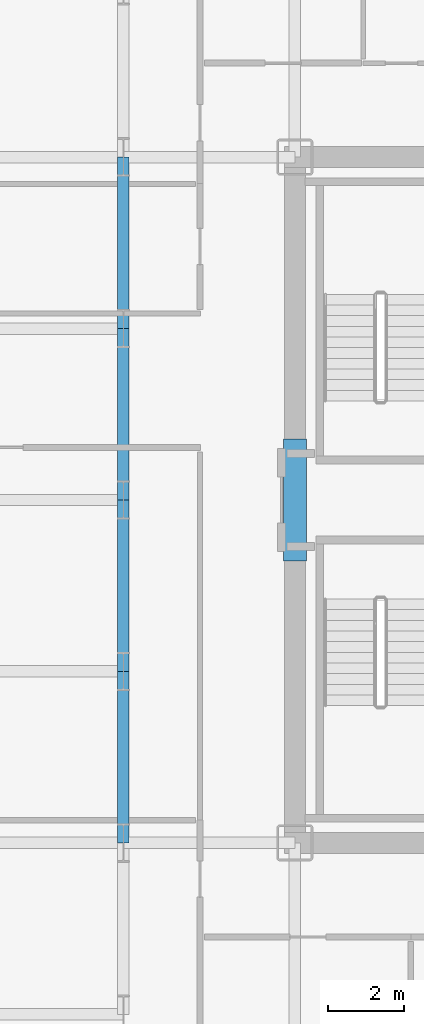
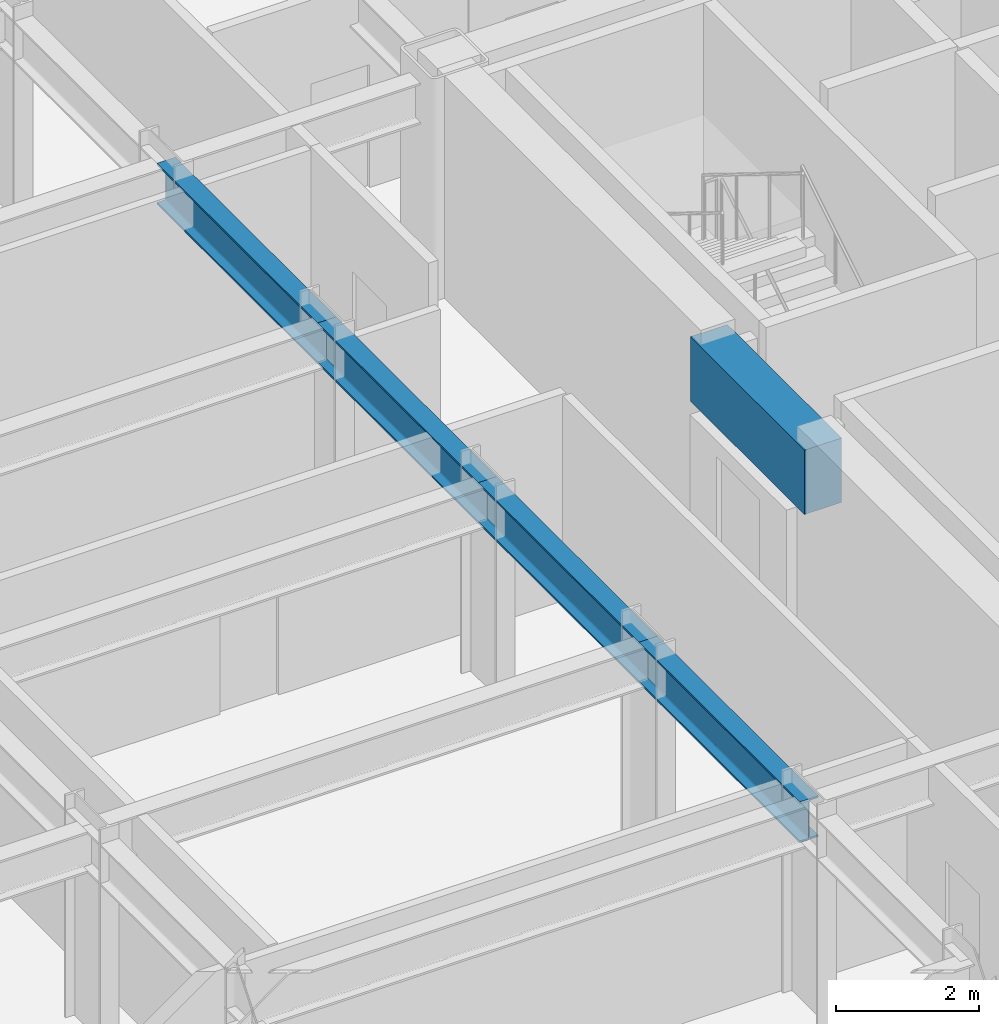
# One storey, part 7 of 29: 5 beams.
"""IFC4 building model written with IfcOpenShell, lengths in metres."""

from ifc_helpers import new_model, si_unit, direction, frame, origin, origin_2d, place, context, subcontext, project, spatial, rectangle, i_section, extrude, source, transform, mapped, material, material_profile, profile_set, type_object, element, save


model = new_model("IFC4")

# Units and contexts
model_context = context("Model", 3, precision=1e-05, world=origin(), true_north=direction((0.0, 1.0)))
body_context = subcontext(model_context, "Body", "Model", "MODEL_VIEW")
ifc_project = project(units=[si_unit("LENGTHUNIT", "METRE"), si_unit("AREAUNIT", "SQUARE_METRE"), si_unit("VOLUMEUNIT", "CUBIC_METRE"), si_unit("PLANEANGLEUNIT", "RADIAN"), si_unit("MASSUNIT", "GRAM", prefix="KILO")], contexts=[model_context])

# Site, building, storey
site_placement = place(None, origin())
site = spatial("IfcSite", under=ifc_project, at=site_placement, CompositionType="ELEMENT")
building_placement = place(site_placement, origin())
building = spatial("IfcBuilding", under=site, at=building_placement, Name="Nefas-Gora Pilgrimage Tower", CompositionType="ELEMENT")
storey_placement = place(building_placement, frame((0.0, 0.0, 90.800048828125)))
storey = spatial("IfcBuildingStorey", under=building, at=storey_placement, Name="L21", CompositionType="ELEMENT", Elevation=90.800048828125)

# Beams
ifc_material_1 = material(Name="Concrete C60/75", Category="concrete")
ifc_material_profile_1 = material_profile(ifc_material_1, rectangle(XDim=0.60009765625, YDim=1.10009765625, at=origin_2d()), Name="RC 600x1100")
ifc_profile_set_1 = profile_set([ifc_material_profile_1], Name="Concrete C60/75")
beam_type_1 = type_object("IfcBeamType", Name="BM-LIN-RC1100", PredefinedType="LINTEL", material=ifc_profile_set_1)
shared_shape_1 = source(origin(), body_context, "Body", "SweptSolid", [
    extrude(rectangle(XDim=0.60009765625, YDim=1.10009765625, at=origin_2d()), origin(), (0.0, 0.0, 1.0), 3.2001953125),
])
beam_placement = place(storey_placement, frame((-11.25, -1.60009765625, 3.0), z_axis=(0.0, 1.0, 0.0), x_axis=(-1.0, 0.0, 0.0)))
element("IfcBeam", 1, at=beam_placement, inside=storey, type_object=beam_type_1, Name="L21 Core Coupling Lintel Beam W", PredefinedType="LINTEL", context=body_context, shape_type="MappedRepresentation", body=[
    mapped(shared_shape_1, transform((0.0, 0.0, 0.0), x_axis=(1.0, 0.0, 0.0), y_axis=(0.0, 1.0, 0.0), z_axis=(0.0, 0.0, 1.0), scale=1.0)),
])
ifc_material_2 = material(Name="Steel S355", Category="steel")
ifc_material_profile_2 = material_profile(ifc_material_2, i_section(OverallWidth=0.300048828125, OverallDepth=0.699951171875, WebThickness=0.01708984375, FlangeThickness=0.031982421875, FilletRadius=0.027099609375, at=origin_2d()), Name="HEB 700")
ifc_profile_set_2 = profile_set([ifc_material_profile_2], Name="Steel S355")
beam_type_2 = type_object("IfcBeamType", Name="BM-GIR-HEB700", PredefinedType="BEAM", material=ifc_profile_set_2)
shared_shape_2 = source(origin(), body_context, "Body", "SweptSolid", [
    extrude(i_section(OverallWidth=0.300048828125, OverallDepth=0.699951171875, WebThickness=0.01708984375, FlangeThickness=0.031982421875, FilletRadius=0.027099609375, at=origin_2d()), origin(), (0.0, 0.0, 1.0), 4.5),
])
for number, where, z_axis, x_axis, name in (
    (2, (-15.75, -9.0, 3.199951171875), (0.0, 1.0, 0.0), (-1.0, 0.0, 0.0), "L21 G-02 beam"),
    (3, (-15.75, -4.5, 3.199951171875), (0.0, 1.0, 0.0), (-1.0, 0.0, 0.0), "L21 G-02 beam"),
    (4, (-15.75, 0.0, 3.199951171875), (0.0, 1.0, 0.0), (-1.0, 0.0, 0.0), "L21 G-02 beam"),
    (5, (-15.75, 4.5, 3.199951171875), (0.0, 1.0, 0.0), (-1.0, 0.0, 0.0), "L21 G-02 beam"),
):
    element("IfcBeam", number, at=place(storey_placement, frame(where, z_axis=z_axis, x_axis=x_axis)), inside=storey, type_object=beam_type_2, Name=name, PredefinedType="BEAM", context=body_context, shape_type="MappedRepresentation", body=[
        mapped(shared_shape_2, transform((0.0, 0.0, 0.0), x_axis=(1.0, 0.0, 0.0), y_axis=(0.0, 1.0, 0.0), z_axis=(0.0, 0.0, 1.0), scale=1.0)),
    ])

save(model, "model.ifc")
